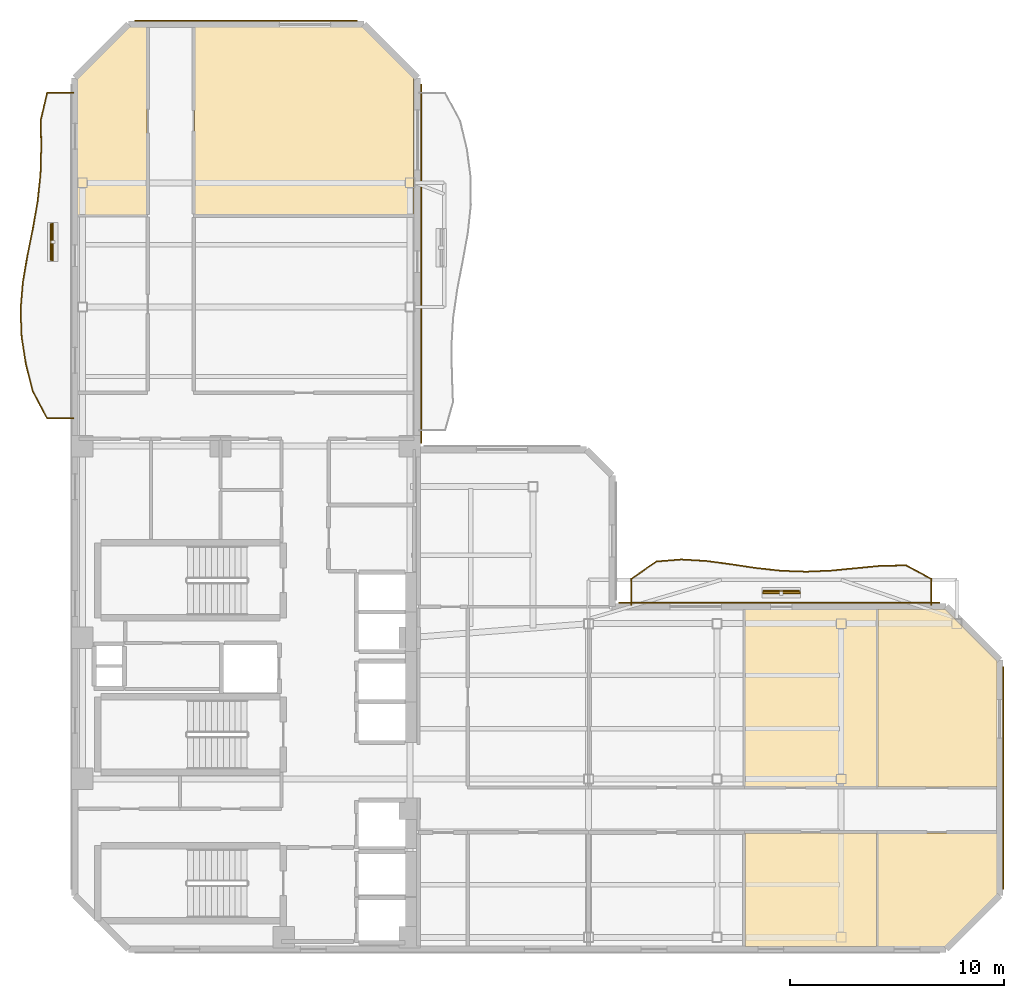
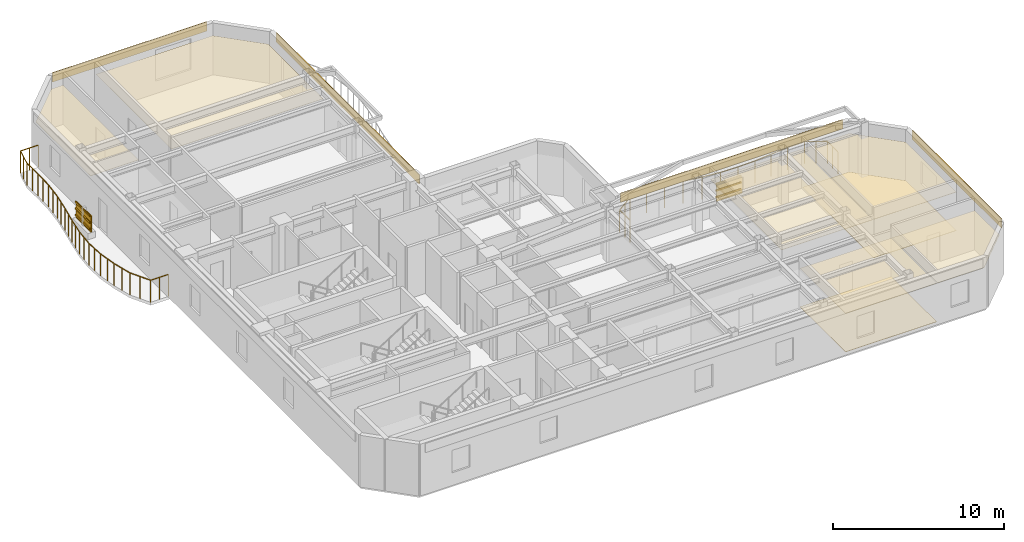
# One storey, part 12 of 13: 12 coverings, 8 shading devices, 2 railings.
"""IFC4 building model written with IfcOpenShell, lengths in metres."""

from ifc_helpers import new_model, si_unit, direction, frame, origin, origin_2d, place, context, subcontext, project, spatial, polyline, rectangle, outline, extrude, material, layer, layer_set, material_profile, profile_set, type_object, element, save


model = new_model("IFC4")

# Units and contexts
model_context = context("Model", 3, precision=1e-05, world=origin(), true_north=direction((0.0, 1.0)))
body_context = subcontext(model_context, "Body", "Model", "MODEL_VIEW")
ifc_project = project(units=[si_unit("LENGTHUNIT", "METRE"), si_unit("AREAUNIT", "SQUARE_METRE"), si_unit("VOLUMEUNIT", "CUBIC_METRE"), si_unit("PLANEANGLEUNIT", "RADIAN"), si_unit("MASSUNIT", "GRAM", prefix="KILO")], contexts=[model_context])

# Site, building, storey
site_placement = place(None, origin())
site = spatial("IfcSite", under=ifc_project, at=site_placement, CompositionType="ELEMENT")
building_placement = place(site_placement, origin())
building = spatial("IfcBuilding", under=site, at=building_placement, Name="Mawjaban Terraces University", CompositionType="ELEMENT")
storey_placement = place(building_placement, frame((0.0, 0.0, 199.199951171875)))
storey = spatial("IfcBuildingStorey", under=building, at=storey_placement, Name="L48", CompositionType="ELEMENT", Elevation=199.199951171875)

# Coverings
ifc_material_1 = material(Name="Acoustic mineral fibre ceiling tile", Category="masonry")
ifc_layer_1 = layer(ifc_material_1, 0.02001953125)
ifc_layer_set_1 = layer_set([ifc_layer_1], Name="Acoustic mineral fibre ceiling tile")
covering_type_1 = type_object("IfcCoveringType", Name="AcousticMineralCeiling_20", PredefinedType="CEILING", material=ifc_layer_set_1)
covering_1_placement = place(storey_placement, frame((0.0, 0.0, 2.75)))
element("IfcCovering", 1, at=covering_1_placement, inside=storey, type_object=covering_type_1, Name="L48 Reading Salon 6 Acoustic Ceiling", PredefinedType="CEILING", context=body_context, shape_type="SweptSolid", body=[
    extrude(outline(polyline([(53.302001953125, 0.114990234375), (59.455078125, 0.114990234375), (59.455078125, 5.419921875), (53.302001953125, 5.419921875), (53.302001953125, 0.114990234375)])), origin(), (0.0, 0.0, 1.0), 0.02001953125),
])
covering_2_placement = place(storey_placement, frame((0.0, 0.0, 2.75)))
element("IfcCovering", 2, at=covering_2_placement, inside=storey, type_object=covering_type_1, Name="L48 Academic Counseling Room 7 Acoustic Ceiling", PredefinedType="CEILING", context=body_context, shape_type="SweptSolid", body=[
    extrude(outline(polyline([(59.455078125, 15.885009765625), (53.302001953125, 15.885009765625), (53.302001953125, 7.580078125), (59.455078125, 7.580078125), (59.455078125, 15.885009765625)])), origin(), (0.0, 0.0, 1.0), 0.02001953125),
])
covering_3_placement = place(storey_placement, frame((0.0, 0.0, 2.75)))
element("IfcCovering", 3, at=covering_3_placement, inside=storey, type_object=covering_type_1, Name="L48 Academic Counseling Room 8 Acoustic Ceiling", PredefinedType="CEILING", context=body_context, shape_type="SweptSolid", body=[
    extrude(outline(polyline([(59.514892578125, 0.114990234375), (62.653076171875, 0.114990234375), (65.0849609375, 2.547119140625), (65.0849609375, 5.419921875), (59.514892578125, 5.419921875), (59.514892578125, 0.114990234375)])), origin(), (0.0, 0.0, 1.0), 0.02001953125),
])
covering_4_placement = place(storey_placement, frame((0.0, 0.0, 2.75)))
element("IfcCovering", 4, at=covering_4_placement, inside=storey, type_object=covering_type_1, Name="L48 Classroom 9 Acoustic Ceiling", PredefinedType="CEILING", context=body_context, shape_type="SweptSolid", body=[
    extrude(outline(polyline([(65.0849609375, 7.580078125), (65.0849609375, 13.452880859375), (62.653076171875, 15.885009765625), (59.514892578125, 15.885009765625), (59.514892578125, 7.580078125), (65.0849609375, 7.580078125)])), origin(), (0.0, 0.0, 1.0), 0.02001953125),
])
covering_5_placement = place(storey_placement, frame((0.0, 0.0, 2.75)))
element("IfcCovering", 5, at=covering_5_placement, inside=storey, type_object=covering_type_1, Name="L48 Teaching Laboratory 12 Acoustic Ceiling", PredefinedType="CEILING", context=body_context, shape_type="SweptSolid", body=[
    extrude(outline(polyline([(25.3701171875, 43.0849609375), (24.547119140625, 43.0849609375), (22.114990234375, 40.653076171875), (22.114990234375, 34.285888671875), (25.3701171875, 34.285888671875), (25.3701171875, 43.0849609375)])), origin(), (0.0, 0.0, 1.0), 0.02001953125),
])
covering_6_placement = place(storey_placement, frame((0.0, 0.0, 2.75)))
element("IfcCovering", 6, at=covering_6_placement, inside=storey, type_object=covering_type_1, Name="L48 Design Studio 13 Acoustic Ceiling", PredefinedType="CEILING", context=body_context, shape_type="SweptSolid", body=[
    extrude(outline(polyline([(37.820068359375, 40.718017578125), (35.452880859375, 43.0849609375), (27.580078125, 43.0849609375), (27.580078125, 34.285888671875), (37.820068359375, 34.285888671875), (37.820068359375, 40.718017578125)])), origin(), (0.0, 0.0, 1.0), 0.02001953125),
])

# Railings
ifc_material_2 = material(Name="Galvanised powder-coated steel S355", Category="steel")
railing_type = type_object("IfcRailingType", Name="BalconyBalustrade_1600", PredefinedType="BALUSTRADE", material=ifc_material_2)
railing_1_placement = place(storey_placement, frame((21.919921875, 24.800048828125, 0.0)))
element("IfcRailing", 7, at=railing_1_placement, inside=storey, type_object=railing_type, Name="L48 Balcony Guardrail west", PredefinedType="BALUSTRADE", context=body_context, shape_type="SweptSolid", body=[
    extrude(rectangle(XDim=0.048095703125, YDim=0.048095703125, at=origin_2d()), frame((0.0, 0.0, 1.576171875), z_axis=(-1.0, 0.0, 0.0), x_axis=(0.0, -1.0, 0.0)), (0.0, 0.0, 1.0), 1.219970703125),
    extrude(rectangle(XDim=0.048095703125, YDim=0.048095703125, at=origin_2d()), frame((-1.219970703125, 0.0, 1.576171875), z_axis=(-0.470791190401, 0.882244668468, 0.0), x_axis=(-0.882244668468, -0.470791190401, 0.0)), (0.0, 0.0, 1.0), 1.43603515625),
    extrude(rectangle(XDim=0.048095703125, YDim=0.048095703125, at=origin_2d()), frame((-1.89599609375, 1.266845703125, 1.576171875), z_axis=(-0.244207163302, 0.969723084902, 0.0), x_axis=(-0.969723084902, -0.244207163302, 0.0)), (0.0, 0.0, 1.0), 1.3056640625),
    extrude(rectangle(XDim=0.048095703125, YDim=0.048095703125, at=origin_2d()), frame((-2.21484375, 2.532958984375, 1.576171875), z_axis=(-0.155131685366, 0.987893800059, 0.0), x_axis=(-0.987893800059, -0.155131685366, 0.0)), (0.0, 0.0, 1.0), 1.28271484375),
    extrude(rectangle(XDim=0.048095703125, YDim=0.048095703125, at=origin_2d()), frame((-2.413818359375, 3.800048828125, 1.576171875), z_axis=(-0.037937595246, 0.999280110313, 0.0), x_axis=(-0.999280110313, -0.037937595246, 0.0)), (0.0, 0.0, 1.0), 1.267822265625),
    extrude(rectangle(XDim=0.048095703125, YDim=0.048095703125, at=origin_2d()), frame((-2.4619140625, 5.06689453125, 1.576171875), z_axis=(0.081868487873, 0.996643141096, 0.0), x_axis=(-0.996643141096, 0.081868487873, 0.0)), (0.0, 0.0, 1.0), 1.270263671875),
    extrude(rectangle(XDim=0.048095703125, YDim=0.048095703125, at=origin_2d()), frame((-2.35791015625, 6.3330078125, 1.576171875), z_axis=(0.167386824685, 0.985891297721, 0.0), x_axis=(-0.985891297721, 0.167386824685, 0.0)), (0.0, 0.0, 1.0), 1.284912109375),
    extrude(rectangle(XDim=0.048095703125, YDim=0.048095703125, at=origin_2d()), frame((-2.142822265625, 7.599853515625, 1.576171875), z_axis=(0.197931820359, 0.980215789757, 0.0), x_axis=(-0.980215789757, 0.197931820359, 0.0)), (0.0, 0.0, 1.0), 1.292724609375),
    extrude(rectangle(XDim=0.048095703125, YDim=0.048095703125, at=origin_2d()), frame((-1.886962890625, 8.866943359375, 1.576171875), z_axis=(0.172647542263, 0.984983667961, 0.0), x_axis=(-0.984983667961, 0.172647542263, 0.0)), (0.0, 0.0, 1.0), 1.285400390625),
    extrude(rectangle(XDim=0.048095703125, YDim=0.048095703125, at=origin_2d()), frame((-1.6650390625, 10.133056640625, 1.576171875), z_axis=(0.105213501896, 0.994449656352, 0.0), x_axis=(-0.994449656352, 0.105213501896, 0.0)), (0.0, 0.0, 1.0), 1.27392578125),
    extrude(rectangle(XDim=0.048095703125, YDim=0.048095703125, at=origin_2d()), frame((-1.531005859375, 11.39990234375, 1.576171875), z_axis=(0.026195246822, 0.999656845645, 0.0), x_axis=(-0.999656845645, 0.026195246822, 0.0)), (0.0, 0.0, 1.0), 1.267578125),
    extrude(rectangle(XDim=0.048095703125, YDim=0.048095703125, at=origin_2d()), frame((-1.497802734375, 12.6669921875, 1.576171875), z_axis=(-0.015041692508, 0.999886867344, 0.0), x_axis=(-0.999886867344, -0.015041692508, 0.0)), (0.0, 0.0, 1.0), 1.26611328125),
    extrude(rectangle(XDim=0.048095703125, YDim=0.048095703125, at=origin_2d()), frame((-1.516845703125, 13.932861328125, 1.576171875), z_axis=(0.228119078942, 0.973633239892, 0.0), x_axis=(-0.973633239892, 0.228119078942, 0.0)), (0.0, 0.0, 1.0), 1.301513671875),
    extrude(rectangle(XDim=0.048095703125, YDim=0.048095703125, at=origin_2d()), frame((-1.219970703125, 15.199951171875, 1.576171875), z_axis=(1.0, 0.0, 0.0), x_axis=(0.0, 1.0, 0.0)), (0.0, 0.0, 1.0), 1.219970703125),
    extrude(rectangle(XDim=0.0419921875, YDim=0.0419921875, at=origin_2d()), origin(), (0.0, 0.0, 1.0), 1.552001953125),
    extrude(rectangle(XDim=0.0419921875, YDim=0.0419921875, at=origin_2d()), frame((-0.60986328125, 0.0, 0.0)), (0.0, 0.0, 1.0), 1.552001953125),
    extrude(rectangle(XDim=0.0419921875, YDim=0.0419921875, at=origin_2d()), frame((-1.219970703125, 0.0, 0.0)), (0.0, 0.0, 1.0), 1.552001953125),
    extrude(rectangle(XDim=0.0419921875, YDim=0.0419921875, at=origin_2d()), frame((-1.55810546875, 0.63330078125, 0.0)), (0.0, 0.0, 1.0), 1.552001953125),
    extrude(rectangle(XDim=0.0419921875, YDim=0.0419921875, at=origin_2d()), frame((-1.89599609375, 1.266845703125, 0.0)), (0.0, 0.0, 1.0), 1.552001953125),
    extrude(rectangle(XDim=0.0419921875, YDim=0.0419921875, at=origin_2d()), frame((-2.055419921875, 1.89990234375, 0.0)), (0.0, 0.0, 1.0), 1.552001953125),
    extrude(rectangle(XDim=0.0419921875, YDim=0.0419921875, at=origin_2d()), frame((-2.21484375, 2.532958984375, 0.0)), (0.0, 0.0, 1.0), 1.552001953125),
    extrude(rectangle(XDim=0.0419921875, YDim=0.0419921875, at=origin_2d()), frame((-2.314453125, 3.16650390625, 0.0)), (0.0, 0.0, 1.0), 1.552001953125),
    extrude(rectangle(XDim=0.0419921875, YDim=0.0419921875, at=origin_2d()), frame((-2.413818359375, 3.800048828125, 0.0)), (0.0, 0.0, 1.0), 1.552001953125),
    extrude(rectangle(XDim=0.0419921875, YDim=0.0419921875, at=origin_2d()), frame((-2.43798828125, 4.43359375, 0.0)), (0.0, 0.0, 1.0), 1.552001953125),
    extrude(rectangle(XDim=0.0419921875, YDim=0.0419921875, at=origin_2d()), frame((-2.4619140625, 5.06689453125, 0.0)), (0.0, 0.0, 1.0), 1.552001953125),
    extrude(rectangle(XDim=0.0419921875, YDim=0.0419921875, at=origin_2d()), frame((-2.409912109375, 5.699951171875, 0.0)), (0.0, 0.0, 1.0), 1.552001953125),
    extrude(rectangle(XDim=0.0419921875, YDim=0.0419921875, at=origin_2d()), frame((-2.35791015625, 6.3330078125, 0.0)), (0.0, 0.0, 1.0), 1.552001953125),
    extrude(rectangle(XDim=0.0419921875, YDim=0.0419921875, at=origin_2d()), frame((-2.25048828125, 6.96630859375, 0.0)), (0.0, 0.0, 1.0), 1.552001953125),
    extrude(rectangle(XDim=0.0419921875, YDim=0.0419921875, at=origin_2d()), frame((-2.142822265625, 7.599853515625, 0.0)), (0.0, 0.0, 1.0), 1.552001953125),
    extrude(rectangle(XDim=0.0419921875, YDim=0.0419921875, at=origin_2d()), frame((-2.014892578125, 8.2333984375, 0.0)), (0.0, 0.0, 1.0), 1.552001953125),
    extrude(rectangle(XDim=0.0419921875, YDim=0.0419921875, at=origin_2d()), frame((-1.886962890625, 8.866943359375, 0.0)), (0.0, 0.0, 1.0), 1.552001953125),
    extrude(rectangle(XDim=0.0419921875, YDim=0.0419921875, at=origin_2d()), frame((-1.77587890625, 9.5, 0.0)), (0.0, 0.0, 1.0), 1.552001953125),
    extrude(rectangle(XDim=0.0419921875, YDim=0.0419921875, at=origin_2d()), frame((-1.6650390625, 10.133056640625, 0.0)), (0.0, 0.0, 1.0), 1.552001953125),
    extrude(rectangle(XDim=0.0419921875, YDim=0.0419921875, at=origin_2d()), frame((-1.59814453125, 10.7666015625, 0.0)), (0.0, 0.0, 1.0), 1.552001953125),
    extrude(rectangle(XDim=0.0419921875, YDim=0.0419921875, at=origin_2d()), frame((-1.531005859375, 11.39990234375, 0.0)), (0.0, 0.0, 1.0), 1.552001953125),
    extrude(rectangle(XDim=0.0419921875, YDim=0.0419921875, at=origin_2d()), frame((-1.514404296875, 12.033447265625, 0.0)), (0.0, 0.0, 1.0), 1.552001953125),
    extrude(rectangle(XDim=0.0419921875, YDim=0.0419921875, at=origin_2d()), frame((-1.497802734375, 12.6669921875, 0.0)), (0.0, 0.0, 1.0), 1.552001953125),
    extrude(rectangle(XDim=0.0419921875, YDim=0.0419921875, at=origin_2d()), frame((-1.50732421875, 13.2998046875, 0.0)), (0.0, 0.0, 1.0), 1.552001953125),
    extrude(rectangle(XDim=0.0419921875, YDim=0.0419921875, at=origin_2d()), frame((-1.516845703125, 13.932861328125, 0.0)), (0.0, 0.0, 1.0), 1.552001953125),
    extrude(rectangle(XDim=0.0419921875, YDim=0.0419921875, at=origin_2d()), frame((-1.368408203125, 14.56640625, 0.0)), (0.0, 0.0, 1.0), 1.552001953125),
    extrude(rectangle(XDim=0.0419921875, YDim=0.0419921875, at=origin_2d()), frame((-1.219970703125, 15.199951171875, 0.0)), (0.0, 0.0, 1.0), 1.552001953125),
    extrude(rectangle(XDim=0.0419921875, YDim=0.0419921875, at=origin_2d()), frame((-0.60986328125, 15.199951171875, 0.0)), (0.0, 0.0, 1.0), 1.552001953125),
    extrude(rectangle(XDim=0.0419921875, YDim=0.0419921875, at=origin_2d()), frame((0.0, 15.199951171875, 0.0)), (0.0, 0.0, 1.0), 1.552001953125),
])
railing_2_placement = place(storey_placement, frame((48.0, 16.080078125, 0.0)))
element("IfcRailing", 8, at=railing_2_placement, inside=storey, type_object=railing_type, Name="L48 Balcony Guardrail inner_north", PredefinedType="BALUSTRADE", context=body_context, shape_type="SweptSolid", body=[
    extrude(rectangle(XDim=0.048095703125, YDim=0.048095703125, at=origin_2d()), frame((0.0, 0.0, 1.576171875), z_axis=(0.0, 1.0, 0.0), x_axis=(-1.0, 0.0, 0.0)), (0.0, 0.0, 1.0), 1.219970703125),
    extrude(rectangle(XDim=0.048095703125, YDim=0.048095703125, at=origin_2d()), frame((0.0, 1.219970703125, 1.576171875), z_axis=(0.821888767013, 0.569648009438, 0.0), x_axis=(-0.569648009438, 0.821888767013, 0.0)), (0.0, 0.0, 1.0), 1.419921875),
    extrude(rectangle(XDim=0.048095703125, YDim=0.048095703125, at=origin_2d()), frame((1.1669921875, 2.02880859375, 1.576171875), z_axis=(0.996682543321, 0.081387393613, 0.0), x_axis=(-0.081387393613, 0.996682543321, 0.0)), (0.0, 0.0, 1.0), 1.169921875),
    extrude(rectangle(XDim=0.048095703125, YDim=0.048095703125, at=origin_2d()), frame((2.3330078125, 2.1240234375, 1.576171875), z_axis=(0.998251976832, -0.059101529172, 0.0), x_axis=(0.059101529172, 0.998251976832, 0.0)), (0.0, 0.0, 1.0), 1.1689453125),
    extrude(rectangle(XDim=0.048095703125, YDim=0.048095703125, at=origin_2d()), frame((3.5, 2.054931640625, 1.576171875), z_axis=(0.9910733098, -0.133318020544, 0.0), x_axis=(0.133318020544, 0.9910733098, 0.0)), (0.0, 0.0, 1.0), 1.177490234375),
    extrude(rectangle(XDim=0.048095703125, YDim=0.048095703125, at=origin_2d()), frame((4.6669921875, 1.89794921875, 1.576171875), z_axis=(0.989039402624, -0.147651820367, 0.0), x_axis=(0.147651820367, 0.989039402624, 0.0)), (0.0, 0.0, 1.0), 1.178955078125),
    extrude(rectangle(XDim=0.048095703125, YDim=0.048095703125, at=origin_2d()), frame((5.8330078125, 1.723876953125, 1.576171875), z_axis=(0.994044970777, -0.108970620227, 0.0), x_axis=(0.108970620227, 0.994044970777, 0.0)), (0.0, 0.0, 1.0), 1.174072265625),
    extrude(rectangle(XDim=0.048095703125, YDim=0.048095703125, at=origin_2d()), frame((7.0, 1.595947265625, 1.576171875), z_axis=(0.999382935378, -0.035124755888, 0.0), x_axis=(0.035124755888, 0.999382935378, 0.0)), (0.0, 0.0, 1.0), 1.167724609375),
    extrude(rectangle(XDim=0.048095703125, YDim=0.048095703125, at=origin_2d()), frame((8.1669921875, 1.554931640625, 1.576171875), z_axis=(0.999080081199, 0.042883462447, 0.0), x_axis=(-0.042883462447, 0.999080081199, 0.0)), (0.0, 0.0, 1.0), 1.1669921875),
    extrude(rectangle(XDim=0.048095703125, YDim=0.048095703125, at=origin_2d()), frame((9.3330078125, 1.60498046875, 1.576171875), z_axis=(0.995341637643, 0.096410706742, 0.0), x_axis=(-0.096410706742, 0.995341637643, 0.0)), (0.0, 0.0, 1.0), 1.17236328125),
    extrude(rectangle(XDim=0.048095703125, YDim=0.048095703125, at=origin_2d()), frame((10.5, 1.718017578125, 1.576171875), z_axis=(0.995441023687, 0.095379077165, 0.0), x_axis=(-0.095379077165, 0.995441023687, 0.0)), (0.0, 0.0, 1.0), 1.17236328125),
    extrude(rectangle(XDim=0.048095703125, YDim=0.048095703125, at=origin_2d()), frame((11.6669921875, 1.829833984375, 1.576171875), z_axis=(0.999892609099, 0.014655042428, 0.0), x_axis=(-0.014655042428, 0.999892609099, 0.0)), (0.0, 0.0, 1.0), 1.166259765625),
    extrude(rectangle(XDim=0.048095703125, YDim=0.048095703125, at=origin_2d()), frame((12.8330078125, 1.846923828125, 1.576171875), z_axis=(0.880920446262, -0.47326437364, 0.0), x_axis=(0.47326437364, 0.880920446262, 0.0)), (0.0, 0.0, 1.0), 1.32470703125),
    extrude(rectangle(XDim=0.048095703125, YDim=0.048095703125, at=origin_2d()), frame((14.0, 1.219970703125, 1.576171875), z_axis=(0.0, -1.0, 0.0), x_axis=(1.0, 0.0, 0.0)), (0.0, 0.0, 1.0), 1.219970703125),
    extrude(rectangle(XDim=0.0419921875, YDim=0.0419921875, at=origin_2d()), origin(), (0.0, 0.0, 1.0), 1.552001953125),
    extrude(rectangle(XDim=0.0419921875, YDim=0.0419921875, at=origin_2d()), frame((0.0, 0.60986328125, 0.0)), (0.0, 0.0, 1.0), 1.552001953125),
    extrude(rectangle(XDim=0.0419921875, YDim=0.0419921875, at=origin_2d()), frame((0.0, 1.219970703125, 0.0)), (0.0, 0.0, 1.0), 1.552001953125),
    extrude(rectangle(XDim=0.0419921875, YDim=0.0419921875, at=origin_2d()), frame((0.58349609375, 1.62451171875, 0.0)), (0.0, 0.0, 1.0), 1.552001953125),
    extrude(rectangle(XDim=0.0419921875, YDim=0.0419921875, at=origin_2d()), frame((1.1669921875, 2.02880859375, 0.0)), (0.0, 0.0, 1.0), 1.552001953125),
    extrude(rectangle(XDim=0.0419921875, YDim=0.0419921875, at=origin_2d()), frame((2.3330078125, 2.1240234375, 0.0)), (0.0, 0.0, 1.0), 1.552001953125),
    extrude(rectangle(XDim=0.0419921875, YDim=0.0419921875, at=origin_2d()), frame((3.5, 2.054931640625, 0.0)), (0.0, 0.0, 1.0), 1.552001953125),
    extrude(rectangle(XDim=0.0419921875, YDim=0.0419921875, at=origin_2d()), frame((4.6669921875, 1.89794921875, 0.0)), (0.0, 0.0, 1.0), 1.552001953125),
    extrude(rectangle(XDim=0.0419921875, YDim=0.0419921875, at=origin_2d()), frame((5.8330078125, 1.723876953125, 0.0)), (0.0, 0.0, 1.0), 1.552001953125),
    extrude(rectangle(XDim=0.0419921875, YDim=0.0419921875, at=origin_2d()), frame((7.0, 1.595947265625, 0.0)), (0.0, 0.0, 1.0), 1.552001953125),
    extrude(rectangle(XDim=0.0419921875, YDim=0.0419921875, at=origin_2d()), frame((8.1669921875, 1.554931640625, 0.0)), (0.0, 0.0, 1.0), 1.552001953125),
    extrude(rectangle(XDim=0.0419921875, YDim=0.0419921875, at=origin_2d()), frame((9.3330078125, 1.60498046875, 0.0)), (0.0, 0.0, 1.0), 1.552001953125),
    extrude(rectangle(XDim=0.0419921875, YDim=0.0419921875, at=origin_2d()), frame((10.5, 1.718017578125, 0.0)), (0.0, 0.0, 1.0), 1.552001953125),
    extrude(rectangle(XDim=0.0419921875, YDim=0.0419921875, at=origin_2d()), frame((11.6669921875, 1.829833984375, 0.0)), (0.0, 0.0, 1.0), 1.552001953125),
    extrude(rectangle(XDim=0.0419921875, YDim=0.0419921875, at=origin_2d()), frame((12.8330078125, 1.846923828125, 0.0)), (0.0, 0.0, 1.0), 1.552001953125),
    extrude(rectangle(XDim=0.0419921875, YDim=0.0419921875, at=origin_2d()), frame((13.41650390625, 1.533447265625, 0.0)), (0.0, 0.0, 1.0), 1.552001953125),
    extrude(rectangle(XDim=0.0419921875, YDim=0.0419921875, at=origin_2d()), frame((14.0, 1.219970703125, 0.0)), (0.0, 0.0, 1.0), 1.552001953125),
    extrude(rectangle(XDim=0.0419921875, YDim=0.0419921875, at=origin_2d()), frame((14.0, 0.60986328125, 0.0)), (0.0, 0.0, 1.0), 1.552001953125),
    extrude(rectangle(XDim=0.0419921875, YDim=0.0419921875, at=origin_2d()), frame((14.0, 0.0, 0.0)), (0.0, 0.0, 1.0), 1.552001953125),
])

# Shading devices
ifc_material_3 = material(Name="Glazed architectural terracotta ceramic", Category="masonry")
ifc_material_profile = material_profile(ifc_material_3, rectangle(XDim=0.06494140625, YDim=0.110107421875, at=origin_2d()), Name="TBAG110X65")
ifc_profile_set = profile_set([ifc_material_profile], Name="Glazed architectural terracotta ceramic")
shading_device_type_1 = type_object("IfcShadingDeviceType", Name="TerracottaBaguette_110x65", PredefinedType="USERDEFINED", material=ifc_profile_set)
for number, where, z_axis, x_axis, name in (
    (9, (20.873046875, 32.18408203125, 0.679931640625), (0.0, 1.0, 0.0), (-1.0, 0.0, 0.0), "L48 Horizontal Terracotta Baguette west.1"),
    (10, (20.873046875, 32.18408203125, 1.150146484375), (0.0, 1.0, 0.0), (-1.0, 0.0, 0.0), "L48 Horizontal Terracotta Baguette west.2"),
    (11, (20.873046875, 32.18408203125, 1.6201171875), (0.0, 1.0, 0.0), (-1.0, 0.0, 0.0), "L48 Horizontal Terracotta Baguette west.3"),
):
    element("IfcShadingDevice", number, at=place(storey_placement, frame(where, z_axis=z_axis, x_axis=x_axis)), inside=storey, type_object=shading_device_type_1, Name=name, ObjectType="BAGUETTE", PredefinedType="USERDEFINED", context=body_context, shape_type="SweptSolid", body=[
        extrude(rectangle(XDim=0.06494140625, YDim=0.110107421875, at=origin_2d()), origin(), (0.0, 0.0, 1.0), 1.699951171875),
    ])
for number, where, z_axis, x_axis, name in (
    (12, (54.14990234375, 16.72998046875, 0.679931640625), (1.0, 0.0, 0.0), (0.0, 1.0, 0.0), "L48 Horizontal Terracotta Baguette inner_north.1"),
    (13, (54.14990234375, 16.72998046875, 1.150146484375), (1.0, 0.0, 0.0), (0.0, 1.0, 0.0), "L48 Horizontal Terracotta Baguette inner_north.2"),
    (14, (54.14990234375, 16.72998046875, 1.6201171875), (1.0, 0.0, 0.0), (0.0, 1.0, 0.0), "L48 Horizontal Terracotta Baguette inner_north.3"),
):
    element("IfcShadingDevice", number, at=place(storey_placement, frame(where, z_axis=z_axis, x_axis=x_axis)), inside=storey, type_object=shading_device_type_1, Name=name, ObjectType="BAGUETTE", PredefinedType="USERDEFINED", context=body_context, shape_type="SweptSolid", body=[
        extrude(rectangle(XDim=0.06494140625, YDim=0.110107421875, at=origin_2d()), origin(), (0.0, 0.0, 1.0), 1.7001953125),
    ])
ifc_layer_2 = layer(ifc_material_3, 0.080078125)
ifc_layer_set_2 = layer_set([ifc_layer_2], Name="Glazed architectural terracotta ceramic")
shading_device_type_2 = type_object("IfcShadingDeviceType", Name="TerracottaScreen_Perforated", PredefinedType="USERDEFINED", material=ifc_layer_set_2)
for number, where, z_axis, x_axis, name in (
    (15, (20.9580078125, 33.033935546875, 0.440185546875), (0.0, 0.0, 1.0), (0.0, 1.0, 0.0), "L48 Balcony Perforated Terracotta Screen west"),
    (16, (55.0, 16.64501953125, 0.440185546875), (0.0, 0.0, 1.0), (1.0, 0.0, 0.0), "L48 Balcony Perforated Terracotta Screen inner_north"),
):
    element("IfcShadingDevice", number, at=place(storey_placement, frame(where, z_axis=z_axis, x_axis=x_axis)), inside=storey, type_object=shading_device_type_2, Name=name, ObjectType="SCREEN", PredefinedType="USERDEFINED", context=body_context, shape_type="SweptSolid", body=[
        extrude(rectangle(XDim=1.75, YDim=0.080078125, at=origin_2d()), origin(), (0.0, 0.0, 1.0), 1.14990234375),
    ])

# Coverings
ifc_material_4 = material(Name="Glazed architectural terracotta rainscreen", Category="masonry")
ifc_layer_3 = layer(ifc_material_4, 0.06005859375)
ifc_layer_set_3 = layer_set([ifc_layer_3], Name="Glazed architectural terracotta rainscreen")
covering_type_2 = type_object("IfcCoveringType", Name="TerracottaSpandrelCladding_60", PredefinedType="CLADDING", material=ifc_layer_set_3)
covering_7_placement = place(storey_placement, frame((65.375, 8.0, 3.01513671875), z_axis=(0.0, 0.0, 1.0), x_axis=(0.0, 1.0, 0.0)))
element("IfcCovering", 17, at=covering_7_placement, inside=storey, type_object=covering_type_2, Name="L48 Terracotta Spandrel Cladding 3", PredefinedType="CLADDING", context=body_context, shape_type="SweptSolid", body=[
    extrude(rectangle(XDim=10.39990234375, YDim=0.06005859375, at=origin_2d()), origin(), (0.0, 0.0, 1.0), 0.64990234375),
])
covering_8_placement = place(storey_placement, frame((54.89990234375, 16.175048828125, 3.01513671875), z_axis=(0.0, 0.0, 1.0), x_axis=(-1.0, 0.0, 0.0)))
element("IfcCovering", 18, at=covering_8_placement, inside=storey, type_object=covering_type_2, Name="L48 Terracotta Spandrel Cladding 5", PredefinedType="CLADDING", context=body_context, shape_type="SweptSolid", body=[
    extrude(rectangle(XDim=15.0, YDim=0.06005859375, at=origin_2d()), origin(), (0.0, 0.0, 1.0), 0.64990234375),
])
covering_9_placement = place(storey_placement, frame((38.175048828125, 32.01708984375, 3.01513671875), z_axis=(0.0, 0.0, 1.0), x_axis=(0.0, 1.0, 0.0)))
element("IfcCovering", 19, at=covering_9_placement, inside=storey, type_object=covering_type_2, Name="L48 Terracotta Spandrel Cladding 9", PredefinedType="CLADDING", context=body_context, shape_type="SweptSolid", body=[
    extrude(rectangle(XDim=16.764892578125, YDim=0.06005859375, at=origin_2d()), origin(), (0.0, 0.0, 1.0), 0.64990234375),
])
covering_10_placement = place(storey_placement, frame((30.0, 43.375, 3.01513671875), z_axis=(0.0, 0.0, 1.0), x_axis=(-1.0, 0.0, 0.0)))
element("IfcCovering", 20, at=covering_10_placement, inside=storey, type_object=covering_type_2, Name="L48 Terracotta Spandrel Cladding 11", PredefinedType="CLADDING", context=body_context, shape_type="SweptSolid", body=[
    extrude(rectangle(XDim=10.39990234375, YDim=0.06005859375, at=origin_2d()), origin(), (0.0, 0.0, 1.0), 0.64990234375),
])
ifc_material_5 = material(Name="Polished Hijazi granite terrazzo flooring", Category="masonry")
ifc_layer_4 = layer(ifc_material_5, 0.02490234375)
ifc_layer_set_4 = layer_set([ifc_layer_4], Name="Polished Hijazi granite terrazzo flooring")
covering_type_3 = type_object("IfcCoveringType", Name="TerrazzoConcourseFlooring_25", PredefinedType="FLOORING", material=ifc_layer_set_4)
covering_11_placement = place(storey_placement, origin())
element("IfcCovering", 21, at=covering_11_placement, inside=storey, type_object=covering_type_3, Name="L48 Reading Salon 6 Terrazzo Flooring", PredefinedType="FLOORING", context=body_context, shape_type="SweptSolid", body=[
    extrude(outline(polyline([(53.302001953125, 0.114990234375), (59.455078125, 0.114990234375), (59.455078125, 5.419921875), (53.302001953125, 5.419921875), (53.302001953125, 0.114990234375)])), origin(), (0.0, 0.0, 1.0), 0.025146484375),
])
covering_12_placement = place(storey_placement, origin())
element("IfcCovering", 22, at=covering_12_placement, inside=storey, type_object=covering_type_3, Name="L48 Classroom 9 Terrazzo Flooring", PredefinedType="FLOORING", context=body_context, shape_type="SweptSolid", body=[
    extrude(outline(polyline([(65.0849609375, 7.580078125), (65.0849609375, 13.452880859375), (62.653076171875, 15.885009765625), (59.514892578125, 15.885009765625), (59.514892578125, 7.580078125), (65.0849609375, 7.580078125)])), origin(), (0.0, 0.0, 1.0), 0.025146484375),
])

save(model, "model.ifc")
